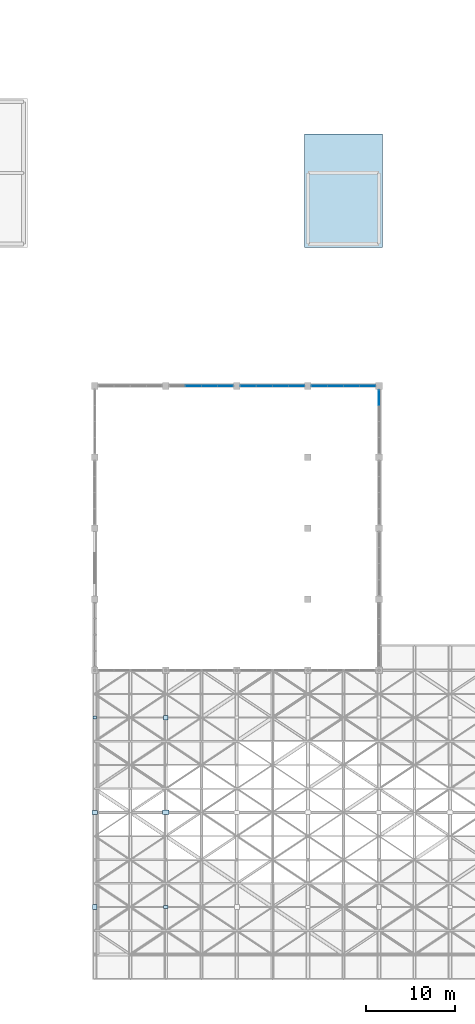
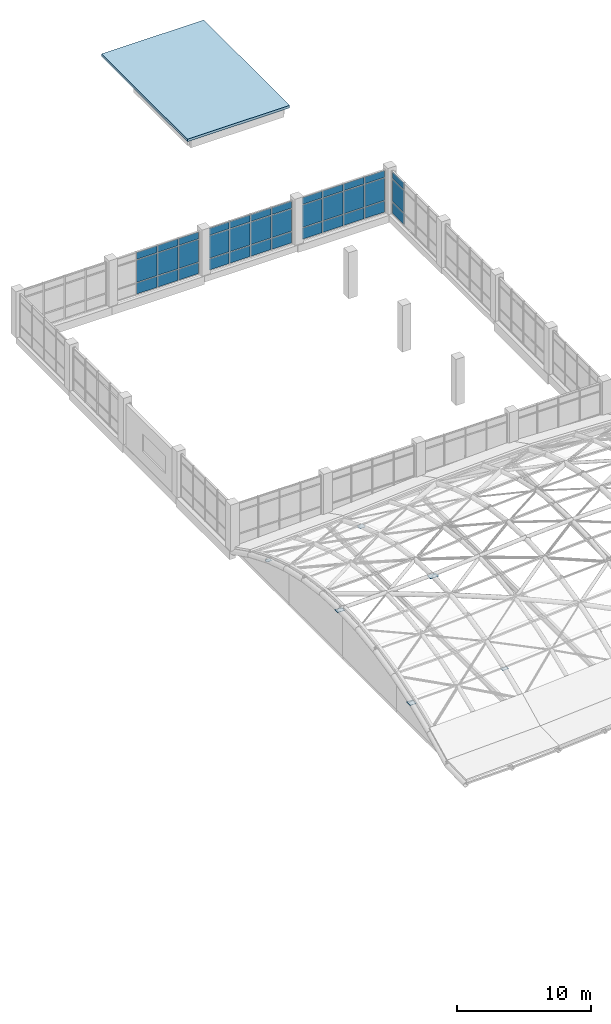
# One storey, part 60 of 72: 42 plates, 1 slab, 4 elements without a shape of their own.
"""IFC4 building model written with IfcOpenShell, lengths in metres."""

from ifc_helpers import new_model, si_unit, direction, frame, origin, origin_2d, place, context, subcontext, project, spatial, polyline, rectangle, outline, extrude, material, layer, layer_set, type_object, element, aggregate, save


model = new_model("IFC4")

# Units and contexts
model_context = context("Model", 3, precision=1e-05, world=origin(), true_north=direction((0.0, 1.0)))
body_context = subcontext(model_context, "Body", "Model", "MODEL_VIEW")
ifc_project = project(units=[si_unit("LENGTHUNIT", "METRE"), si_unit("AREAUNIT", "SQUARE_METRE"), si_unit("VOLUMEUNIT", "CUBIC_METRE"), si_unit("PLANEANGLEUNIT", "RADIAN"), si_unit("MASSUNIT", "GRAM", prefix="KILO")], contexts=[model_context])

# Site, building, storey
site_placement = place(None, origin())
site = spatial("IfcSite", under=ifc_project, at=site_placement, CompositionType="ELEMENT")
building_placement = place(site_placement, origin())
building = spatial("IfcBuilding", under=site, at=building_placement, Name="Tenunan Teduh Sports Hall", CompositionType="ELEMENT")
storey_placement = place(building_placement, frame((0.0, 0.0, 15.0)))
storey = spatial("IfcBuildingStorey", under=building, at=storey_placement, Name="L03", CompositionType="ELEMENT", Elevation=15.0)

# Curtain wall, plates
ifc_material_1 = material(Name="Anodised aluminium", Category="aluminium")
curtain_wall_type = type_object("IfcCurtainWallType", Name="CW-UNIT-2", PredefinedType="NOTDEFINED", material=ifc_material_1)
curtain_wall_1_placement = place(storey_placement, origin())
curtain_wall_1 = element("IfcCurtainWall", 1, at=curtain_wall_1_placement, inside=storey, type_object=curtain_wall_type, Name="CW-CWM-200-L03-140", PredefinedType="NOTDEFINED")
ifc_material_2 = material(Name="Low-E laminated double glazing", Category="glass")
ifc_layer_1 = layer(ifc_material_2, 0.028076171875)
ifc_layer_set_1 = layer_set([ifc_layer_1], Name="Low-E laminated double glazing")
plate_type_1 = type_object("IfcPlateType", Name="CWP-GLZ-28", PredefinedType="CURTAIN_PANEL", material=ifc_layer_set_1)
plate_1_placement = place(storey_placement, frame((133.09375, 78.0, 1.134765625), z_axis=(0.0, 0.0, 1.0), x_axis=(1.0, 0.0, 0.0)))
plate_1 = element("IfcPlate", 2, at=plate_1_placement, type_object=plate_type_1, Name="CW-02 panel 2.2", PredefinedType="CURTAIN_PANEL", context=body_context, shape_type="SweptSolid", body=[
    extrude(rectangle(XDim=1.742431640625, YDim=0.028076171875, at=origin_2d()), origin(), (0.0, 0.0, 1.0), 2.030029296875),
])
plate_2_placement = place(storey_placement, frame((133.09375, 78.0, 3.23486328125), z_axis=(0.0, 0.0, 1.0), x_axis=(1.0, 0.0, 0.0)))
plate_2 = element("IfcPlate", 3, at=plate_2_placement, type_object=plate_type_1, Name="CW-02 panel 2.3", PredefinedType="CURTAIN_PANEL", context=body_context, shape_type="SweptSolid", body=[
    extrude(rectangle(XDim=1.742431640625, YDim=0.028076171875, at=origin_2d()), origin(), (0.0, 0.0, 1.0), 0.614990234375),
])
plate_3_placement = place(storey_placement, frame((134.90625, 78.0, 1.134765625), z_axis=(0.0, 0.0, 1.0), x_axis=(1.0, 0.0, 0.0)))
plate_3 = element("IfcPlate", 4, at=plate_3_placement, type_object=plate_type_1, Name="CW-02 panel 3.2", PredefinedType="CURTAIN_PANEL", context=body_context, shape_type="SweptSolid", body=[
    extrude(rectangle(XDim=1.742431640625, YDim=0.028076171875, at=origin_2d()), origin(), (0.0, 0.0, 1.0), 2.030029296875),
])
plate_4_placement = place(storey_placement, frame((134.90625, 78.0, 3.23486328125), z_axis=(0.0, 0.0, 1.0), x_axis=(1.0, 0.0, 0.0)))
plate_4 = element("IfcPlate", 5, at=plate_4_placement, type_object=plate_type_1, Name="CW-02 panel 3.3", PredefinedType="CURTAIN_PANEL", context=body_context, shape_type="SweptSolid", body=[
    extrude(rectangle(XDim=1.742431640625, YDim=0.028076171875, at=origin_2d()), origin(), (0.0, 0.0, 1.0), 0.614990234375),
])
plate_5_placement = place(storey_placement, frame((136.701171875, 78.0, 1.134765625), z_axis=(0.0, 0.0, 1.0), x_axis=(1.0, 0.0, 0.0)))
plate_5 = element("IfcPlate", 6, at=plate_5_placement, type_object=plate_type_1, Name="CW-02 panel 4.2", PredefinedType="CURTAIN_PANEL", context=body_context, shape_type="SweptSolid", body=[
    extrude(rectangle(XDim=1.70751953125, YDim=0.028076171875, at=origin_2d()), origin(), (0.0, 0.0, 1.0), 2.030029296875),
])
plate_6_placement = place(storey_placement, frame((136.701171875, 78.0, 3.23486328125), z_axis=(0.0, 0.0, 1.0), x_axis=(1.0, 0.0, 0.0)))
plate_6 = element("IfcPlate", 7, at=plate_6_placement, type_object=plate_type_1, Name="CW-02 panel 4.3", PredefinedType="CURTAIN_PANEL", context=body_context, shape_type="SweptSolid", body=[
    extrude(rectangle(XDim=1.70751953125, YDim=0.028076171875, at=origin_2d()), origin(), (0.0, 0.0, 1.0), 0.614990234375),
])

curtain_wall_2_placement = place(storey_placement, origin())
curtain_wall_2 = element("IfcCurtainWall", 8, at=curtain_wall_2_placement, inside=storey, type_object=curtain_wall_type, Name="CW-CWM-175-L03-142", PredefinedType="NOTDEFINED")
plate_7_placement = place(storey_placement, frame((139.297607421875, 78.0, 1.13232421875), z_axis=(0.0, 0.0, 1.0), x_axis=(1.0, 0.0, 0.0)))
plate_7 = element("IfcPlate", 9, at=plate_7_placement, type_object=plate_type_1, Name="CW-02 panel 1.2", PredefinedType="CURTAIN_PANEL", context=body_context, shape_type="SweptSolid", body=[
    extrude(rectangle(XDim=1.715087890625, YDim=0.028076171875, at=origin_2d()), origin(), (0.0, 0.0, 1.0), 2.034912109375),
])
plate_8_placement = place(storey_placement, frame((139.297607421875, 78.0, 3.232421875), z_axis=(0.0, 0.0, 1.0), x_axis=(1.0, 0.0, 0.0)))
plate_8 = element("IfcPlate", 10, at=plate_8_placement, type_object=plate_type_1, Name="CW-02 panel 1.3", PredefinedType="CURTAIN_PANEL", context=body_context, shape_type="SweptSolid", body=[
    extrude(rectangle(XDim=1.715087890625, YDim=0.028076171875, at=origin_2d()), origin(), (0.0, 0.0, 1.0), 0.62255859375),
])
plate_9_placement = place(storey_placement, frame((141.09375, 78.0, 1.13232421875), z_axis=(0.0, 0.0, 1.0), x_axis=(1.0, 0.0, 0.0)))
plate_9 = element("IfcPlate", 11, at=plate_9_placement, type_object=plate_type_1, Name="CW-02 panel 2.2", PredefinedType="CURTAIN_PANEL", context=body_context, shape_type="SweptSolid", body=[
    extrude(rectangle(XDim=1.74755859375, YDim=0.028076171875, at=origin_2d()), origin(), (0.0, 0.0, 1.0), 2.034912109375),
])
plate_10_placement = place(storey_placement, frame((141.09375, 78.0, 3.232421875), z_axis=(0.0, 0.0, 1.0), x_axis=(1.0, 0.0, 0.0)))
plate_10 = element("IfcPlate", 12, at=plate_10_placement, type_object=plate_type_1, Name="CW-02 panel 2.3", PredefinedType="CURTAIN_PANEL", context=body_context, shape_type="SweptSolid", body=[
    extrude(rectangle(XDim=1.74755859375, YDim=0.028076171875, at=origin_2d()), origin(), (0.0, 0.0, 1.0), 0.62255859375),
])
plate_11_placement = place(storey_placement, frame((142.90625, 78.0, 1.13232421875), z_axis=(0.0, 0.0, 1.0), x_axis=(1.0, 0.0, 0.0)))
plate_11 = element("IfcPlate", 13, at=plate_11_placement, type_object=plate_type_1, Name="CW-02 panel 3.2", PredefinedType="CURTAIN_PANEL", context=body_context, shape_type="SweptSolid", body=[
    extrude(rectangle(XDim=1.74755859375, YDim=0.028076171875, at=origin_2d()), origin(), (0.0, 0.0, 1.0), 2.034912109375),
])
plate_12_placement = place(storey_placement, frame((142.90625, 78.0, 3.232421875), z_axis=(0.0, 0.0, 1.0), x_axis=(1.0, 0.0, 0.0)))
plate_12 = element("IfcPlate", 14, at=plate_12_placement, type_object=plate_type_1, Name="CW-02 panel 3.3", PredefinedType="CURTAIN_PANEL", context=body_context, shape_type="SweptSolid", body=[
    extrude(rectangle(XDim=1.74755859375, YDim=0.028076171875, at=origin_2d()), origin(), (0.0, 0.0, 1.0), 0.62255859375),
])
plate_13_placement = place(storey_placement, frame((144.702392578125, 78.0, 1.13232421875), z_axis=(0.0, 0.0, 1.0), x_axis=(1.0, 0.0, 0.0)))
plate_13 = element("IfcPlate", 15, at=plate_13_placement, type_object=plate_type_1, Name="CW-02 panel 4.2", PredefinedType="CURTAIN_PANEL", context=body_context, shape_type="SweptSolid", body=[
    extrude(rectangle(XDim=1.715087890625, YDim=0.028076171875, at=origin_2d()), origin(), (0.0, 0.0, 1.0), 2.034912109375),
])
plate_14_placement = place(storey_placement, frame((144.702392578125, 78.0, 3.232421875), z_axis=(0.0, 0.0, 1.0), x_axis=(1.0, 0.0, 0.0)))
plate_14 = element("IfcPlate", 16, at=plate_14_placement, type_object=plate_type_1, Name="CW-02 panel 4.3", PredefinedType="CURTAIN_PANEL", context=body_context, shape_type="SweptSolid", body=[
    extrude(rectangle(XDim=1.715087890625, YDim=0.028076171875, at=origin_2d()), origin(), (0.0, 0.0, 1.0), 0.62255859375),
])

curtain_wall_3_placement = place(storey_placement, origin())
curtain_wall_3 = element("IfcCurtainWall", 17, at=curtain_wall_3_placement, inside=storey, type_object=curtain_wall_type, Name="CW-CWM-200-L03-144", PredefinedType="NOTDEFINED")
plate_15_placement = place(storey_placement, frame((147.298828125, 78.0, 1.134765625), z_axis=(0.0, 0.0, 1.0), x_axis=(1.0, 0.0, 0.0)))
plate_15 = element("IfcPlate", 18, at=plate_15_placement, type_object=plate_type_1, Name="CW-02 panel 1.2", PredefinedType="CURTAIN_PANEL", context=body_context, shape_type="SweptSolid", body=[
    extrude(rectangle(XDim=1.70751953125, YDim=0.028076171875, at=origin_2d()), origin(), (0.0, 0.0, 1.0), 2.030029296875),
])
plate_16_placement = place(storey_placement, frame((147.298828125, 78.0, 3.23486328125), z_axis=(0.0, 0.0, 1.0), x_axis=(1.0, 0.0, 0.0)))
plate_16 = element("IfcPlate", 19, at=plate_16_placement, type_object=plate_type_1, Name="CW-02 panel 1.3", PredefinedType="CURTAIN_PANEL", context=body_context, shape_type="SweptSolid", body=[
    extrude(rectangle(XDim=1.70751953125, YDim=0.028076171875, at=origin_2d()), origin(), (0.0, 0.0, 1.0), 0.614990234375),
])
plate_17_placement = place(storey_placement, frame((149.09375, 78.0, 1.134765625), z_axis=(0.0, 0.0, 1.0), x_axis=(1.0, 0.0, 0.0)))
plate_17 = element("IfcPlate", 20, at=plate_17_placement, type_object=plate_type_1, Name="CW-02 panel 2.2", PredefinedType="CURTAIN_PANEL", context=body_context, shape_type="SweptSolid", body=[
    extrude(rectangle(XDim=1.742431640625, YDim=0.028076171875, at=origin_2d()), origin(), (0.0, 0.0, 1.0), 2.030029296875),
])
plate_18_placement = place(storey_placement, frame((149.09375, 78.0, 3.23486328125), z_axis=(0.0, 0.0, 1.0), x_axis=(1.0, 0.0, 0.0)))
plate_18 = element("IfcPlate", 21, at=plate_18_placement, type_object=plate_type_1, Name="CW-02 panel 2.3", PredefinedType="CURTAIN_PANEL", context=body_context, shape_type="SweptSolid", body=[
    extrude(rectangle(XDim=1.742431640625, YDim=0.028076171875, at=origin_2d()), origin(), (0.0, 0.0, 1.0), 0.614990234375),
])
plate_19_placement = place(storey_placement, frame((150.90625, 78.0, 1.134765625), z_axis=(0.0, 0.0, 1.0), x_axis=(1.0, 0.0, 0.0)))
plate_19 = element("IfcPlate", 22, at=plate_19_placement, type_object=plate_type_1, Name="CW-02 panel 3.2", PredefinedType="CURTAIN_PANEL", context=body_context, shape_type="SweptSolid", body=[
    extrude(rectangle(XDim=1.742431640625, YDim=0.028076171875, at=origin_2d()), origin(), (0.0, 0.0, 1.0), 2.030029296875),
])
plate_20_placement = place(storey_placement, frame((150.90625, 78.0, 3.23486328125), z_axis=(0.0, 0.0, 1.0), x_axis=(1.0, 0.0, 0.0)))
plate_20 = element("IfcPlate", 23, at=plate_20_placement, type_object=plate_type_1, Name="CW-02 panel 3.3", PredefinedType="CURTAIN_PANEL", context=body_context, shape_type="SweptSolid", body=[
    extrude(rectangle(XDim=1.742431640625, YDim=0.028076171875, at=origin_2d()), origin(), (0.0, 0.0, 1.0), 0.614990234375),
])
plate_21_placement = place(storey_placement, frame((152.701171875, 78.0, 1.134765625), z_axis=(0.0, 0.0, 1.0), x_axis=(1.0, 0.0, 0.0)))
plate_21 = element("IfcPlate", 24, at=plate_21_placement, type_object=plate_type_1, Name="CW-02 panel 4.2", PredefinedType="CURTAIN_PANEL", context=body_context, shape_type="SweptSolid", body=[
    extrude(rectangle(XDim=1.70751953125, YDim=0.028076171875, at=origin_2d()), origin(), (0.0, 0.0, 1.0), 2.030029296875),
])
plate_22_placement = place(storey_placement, frame((152.701171875, 78.0, 3.23486328125), z_axis=(0.0, 0.0, 1.0), x_axis=(1.0, 0.0, 0.0)))
plate_22 = element("IfcPlate", 25, at=plate_22_placement, type_object=plate_type_1, Name="CW-02 panel 4.3", PredefinedType="CURTAIN_PANEL", context=body_context, shape_type="SweptSolid", body=[
    extrude(rectangle(XDim=1.70751953125, YDim=0.028076171875, at=origin_2d()), origin(), (0.0, 0.0, 1.0), 0.614990234375),
])

curtain_wall_4_placement = place(storey_placement, origin())
curtain_wall_4 = element("IfcCurtainWall", 26, at=curtain_wall_4_placement, inside=storey, type_object=curtain_wall_type, Name="CW-CWM-200-L03-152", PredefinedType="NOTDEFINED")
plate_23_placement = place(storey_placement, frame((154.0, 76.701171875, 1.134765625), z_axis=(0.0, 0.0, 1.0), x_axis=(0.0, 1.0, 0.0)))
plate_23 = element("IfcPlate", 27, at=plate_23_placement, type_object=plate_type_1, Name="CW-02 panel 4.2", PredefinedType="CURTAIN_PANEL", context=body_context, shape_type="SweptSolid", body=[
    extrude(rectangle(XDim=1.70751953125, YDim=0.028076171875, at=origin_2d()), origin(), (0.0, 0.0, 1.0), 2.030029296875),
])
plate_24_placement = place(storey_placement, frame((154.0, 76.701171875, 3.23486328125), z_axis=(0.0, 0.0, 1.0), x_axis=(0.0, 1.0, 0.0)))
plate_24 = element("IfcPlate", 28, at=plate_24_placement, type_object=plate_type_1, Name="CW-02 panel 4.3", PredefinedType="CURTAIN_PANEL", context=body_context, shape_type="SweptSolid", body=[
    extrude(rectangle(XDim=1.70751953125, YDim=0.028076171875, at=origin_2d()), origin(), (0.0, 0.0, 1.0), 0.614990234375),
])

# Plate
ifc_material_3 = material(Name="Insulated aluminium spandrel panel", Category="aluminium")
ifc_layer_2 = layer(ifc_material_3, 0.044921875)
ifc_layer_set_2 = layer_set([ifc_layer_2], Name="Insulated aluminium spandrel panel")
plate_type_2 = type_object("IfcPlateType", Name="CWP-SPN-45", PredefinedType="CURTAIN_PANEL", material=ifc_layer_set_2)
plate_25_placement = place(storey_placement, frame((133.09375, 78.0, 0.06982421875), z_axis=(0.0, 0.0, 1.0), x_axis=(1.0, 0.0, 0.0)))
plate_25 = element("IfcPlate", 29, at=plate_25_placement, type_object=plate_type_2, Name="CW-02 panel 2.1", PredefinedType="CURTAIN_PANEL", context=body_context, shape_type="SweptSolid", body=[
    extrude(rectangle(XDim=1.742431640625, YDim=0.028076171875, at=origin_2d()), origin(), (0.0, 0.0, 1.0), 0.9951171875),
])

plate_26_placement = place(storey_placement, frame((134.90625, 78.0, 0.06982421875), z_axis=(0.0, 0.0, 1.0), x_axis=(1.0, 0.0, 0.0)))
plate_26 = element("IfcPlate", 30, at=plate_26_placement, type_object=plate_type_2, Name="CW-02 panel 3.1", PredefinedType="CURTAIN_PANEL", context=body_context, shape_type="SweptSolid", body=[
    extrude(rectangle(XDim=1.742431640625, YDim=0.028076171875, at=origin_2d()), origin(), (0.0, 0.0, 1.0), 0.9951171875),
])

plate_27_placement = place(storey_placement, frame((136.701171875, 78.0, 0.06982421875), z_axis=(0.0, 0.0, 1.0), x_axis=(1.0, 0.0, 0.0)))
plate_27 = element("IfcPlate", 31, at=plate_27_placement, type_object=plate_type_2, Name="CW-02 panel 4.1", PredefinedType="CURTAIN_PANEL", context=body_context, shape_type="SweptSolid", body=[
    extrude(rectangle(XDim=1.70751953125, YDim=0.028076171875, at=origin_2d()), origin(), (0.0, 0.0, 1.0), 0.9951171875),
])

aggregate(curtain_wall_1, [plate_25, plate_1, plate_2, plate_26, plate_3, plate_4, plate_27, plate_5, plate_6])

plate_28_placement = place(storey_placement, frame((139.297607421875, 78.0, 0.06494140625), z_axis=(0.0, 0.0, 1.0), x_axis=(1.0, 0.0, 0.0)))
plate_28 = element("IfcPlate", 32, at=plate_28_placement, type_object=plate_type_2, Name="CW-02 panel 1.1", PredefinedType="CURTAIN_PANEL", context=body_context, shape_type="SweptSolid", body=[
    extrude(rectangle(XDim=1.715087890625, YDim=0.028076171875, at=origin_2d()), origin(), (0.0, 0.0, 1.0), 1.00244140625),
])

plate_29_placement = place(storey_placement, frame((141.09375, 78.0, 0.06494140625), z_axis=(0.0, 0.0, 1.0), x_axis=(1.0, 0.0, 0.0)))
plate_29 = element("IfcPlate", 33, at=plate_29_placement, type_object=plate_type_2, Name="CW-02 panel 2.1", PredefinedType="CURTAIN_PANEL", context=body_context, shape_type="SweptSolid", body=[
    extrude(rectangle(XDim=1.74755859375, YDim=0.028076171875, at=origin_2d()), origin(), (0.0, 0.0, 1.0), 1.00244140625),
])

plate_30_placement = place(storey_placement, frame((142.90625, 78.0, 0.06494140625), z_axis=(0.0, 0.0, 1.0), x_axis=(1.0, 0.0, 0.0)))
plate_30 = element("IfcPlate", 34, at=plate_30_placement, type_object=plate_type_2, Name="CW-02 panel 3.1", PredefinedType="CURTAIN_PANEL", context=body_context, shape_type="SweptSolid", body=[
    extrude(rectangle(XDim=1.74755859375, YDim=0.028076171875, at=origin_2d()), origin(), (0.0, 0.0, 1.0), 1.00244140625),
])

plate_31_placement = place(storey_placement, frame((144.702392578125, 78.0, 0.06494140625), z_axis=(0.0, 0.0, 1.0), x_axis=(1.0, 0.0, 0.0)))
plate_31 = element("IfcPlate", 35, at=plate_31_placement, type_object=plate_type_2, Name="CW-02 panel 4.1", PredefinedType="CURTAIN_PANEL", context=body_context, shape_type="SweptSolid", body=[
    extrude(rectangle(XDim=1.715087890625, YDim=0.028076171875, at=origin_2d()), origin(), (0.0, 0.0, 1.0), 1.00244140625),
])

aggregate(curtain_wall_2, [plate_28, plate_7, plate_8, plate_29, plate_9, plate_10, plate_30, plate_11, plate_12, plate_31, plate_13, plate_14])

plate_32_placement = place(storey_placement, frame((147.298828125, 78.0, 0.06982421875), z_axis=(0.0, 0.0, 1.0), x_axis=(1.0, 0.0, 0.0)))
plate_32 = element("IfcPlate", 36, at=plate_32_placement, type_object=plate_type_2, Name="CW-02 panel 1.1", PredefinedType="CURTAIN_PANEL", context=body_context, shape_type="SweptSolid", body=[
    extrude(rectangle(XDim=1.70751953125, YDim=0.028076171875, at=origin_2d()), origin(), (0.0, 0.0, 1.0), 0.9951171875),
])

plate_33_placement = place(storey_placement, frame((149.09375, 78.0, 0.06982421875), z_axis=(0.0, 0.0, 1.0), x_axis=(1.0, 0.0, 0.0)))
plate_33 = element("IfcPlate", 37, at=plate_33_placement, type_object=plate_type_2, Name="CW-02 panel 2.1", PredefinedType="CURTAIN_PANEL", context=body_context, shape_type="SweptSolid", body=[
    extrude(rectangle(XDim=1.742431640625, YDim=0.028076171875, at=origin_2d()), origin(), (0.0, 0.0, 1.0), 0.9951171875),
])

plate_34_placement = place(storey_placement, frame((150.90625, 78.0, 0.06982421875), z_axis=(0.0, 0.0, 1.0), x_axis=(1.0, 0.0, 0.0)))
plate_34 = element("IfcPlate", 38, at=plate_34_placement, type_object=plate_type_2, Name="CW-02 panel 3.1", PredefinedType="CURTAIN_PANEL", context=body_context, shape_type="SweptSolid", body=[
    extrude(rectangle(XDim=1.742431640625, YDim=0.028076171875, at=origin_2d()), origin(), (0.0, 0.0, 1.0), 0.9951171875),
])

plate_35_placement = place(storey_placement, frame((152.701171875, 78.0, 0.06982421875), z_axis=(0.0, 0.0, 1.0), x_axis=(1.0, 0.0, 0.0)))
plate_35 = element("IfcPlate", 39, at=plate_35_placement, type_object=plate_type_2, Name="CW-02 panel 4.1", PredefinedType="CURTAIN_PANEL", context=body_context, shape_type="SweptSolid", body=[
    extrude(rectangle(XDim=1.70751953125, YDim=0.028076171875, at=origin_2d()), origin(), (0.0, 0.0, 1.0), 0.9951171875),
])

aggregate(curtain_wall_3, [plate_32, plate_15, plate_16, plate_33, plate_17, plate_18, plate_34, plate_19, plate_20, plate_35, plate_21, plate_22])

plate_36_placement = place(storey_placement, frame((154.0, 76.701171875, 0.06982421875), z_axis=(0.0, 0.0, 1.0), x_axis=(0.0, 1.0, 0.0)))
plate_36 = element("IfcPlate", 40, at=plate_36_placement, type_object=plate_type_2, Name="CW-02 panel 4.1", PredefinedType="CURTAIN_PANEL", context=body_context, shape_type="SweptSolid", body=[
    extrude(rectangle(XDim=1.70751953125, YDim=0.028076171875, at=origin_2d()), origin(), (0.0, 0.0, 1.0), 0.9951171875),
])

aggregate(curtain_wall_4, [plate_36, plate_23, plate_24])

# Plates
ifc_material_4 = material(Name="Steel S355", Category="steel")
ifc_layer_3 = layer(ifc_material_4, 0.02001953125)
ifc_layer_set_3 = layer_set([ifc_layer_3], Name="Steel S355")
plate_type_3 = type_object("IfcPlateType", Name="PLT-GUS-1", PredefinedType="SHEET", material=ifc_layer_set_3)
plate_37_placement = place(storey_placement, frame((130.0, 40.666748046875, 2.356201171875), z_axis=(0.0, 0.0, 1.0), x_axis=(1.0, 0.0, 0.0)))
element("IfcPlate", 41, at=plate_37_placement, inside=storey, type_object=plate_type_3, Name="PLT-L03-006", PredefinedType="SHEET", context=body_context, shape_type="SweptSolid", body=[
    extrude(rectangle(XDim=0.47998046875, YDim=0.47998046875, at=origin_2d()), origin(), (0.0, 0.0, 1.0), 0.02001953125),
])
ifc_material_5 = material(Name="Steel S355", Category="steel")
ifc_layer_4 = layer(ifc_material_5, 0.02392578125)
ifc_layer_set_4 = layer_set([ifc_layer_4], Name="Steel S355")
plate_type_4 = type_object("IfcPlateType", Name="PLT-GUS-2", PredefinedType="SHEET", material=ifc_layer_set_4)
plate_38_placement = place(storey_placement, frame((122.0, 19.333251953125, 2.053466796875), z_axis=(0.0, 0.0, 1.0), x_axis=(1.0, 0.0, 0.0)))
element("IfcPlate", 42, at=plate_38_placement, inside=storey, type_object=plate_type_4, Name="PLT-L03-001", PredefinedType="SHEET", context=body_context, shape_type="SweptSolid", body=[
    extrude(rectangle(XDim=0.56005859375, YDim=0.56005859375, at=origin_2d()), origin(), (0.0, 0.0, 1.0), 0.02392578125),
])
ifc_material_6 = material(Name="Steel S355", Category="steel")
ifc_layer_5 = layer(ifc_material_6, 0.02197265625)
ifc_layer_set_5 = layer_set([ifc_layer_5], Name="Steel S355")
plate_type_5 = type_object("IfcPlateType", Name="PLT-GUS-3", PredefinedType="SHEET", material=ifc_layer_set_5)
plate_39_placement = place(storey_placement, frame((122.0, 30.0, 4.007568359375), z_axis=(0.0, 0.0, 1.0), x_axis=(1.0, 0.0, 0.0)))
element("IfcPlate", 43, at=plate_39_placement, inside=storey, type_object=plate_type_5, Name="PLT-L03-002", PredefinedType="SHEET", context=body_context, shape_type="SweptSolid", body=[
    extrude(rectangle(XDim=0.639892578125, YDim=0.43994140625, at=origin_2d()), origin(), (0.0, 0.0, 1.0), 0.02197265625),
])
ifc_material_7 = material(Name="Steel S355", Category="steel")
ifc_layer_6 = layer(ifc_material_7, 0.01611328125)
ifc_layer_set_6 = layer_set([ifc_layer_6], Name="Steel S355")
plate_type_6 = type_object("IfcPlateType", Name="PLT-GUS-4", PredefinedType="SHEET", material=ifc_layer_set_6)
plate_40_placement = place(storey_placement, frame((122.0, 40.666748046875, 2.057373046875), z_axis=(0.0, 0.0, 1.0), x_axis=(1.0, 0.0, 0.0)))
element("IfcPlate", 44, at=plate_40_placement, inside=storey, type_object=plate_type_6, Name="PLT-L03-003", PredefinedType="SHEET", context=body_context, shape_type="SweptSolid", body=[
    extrude(rectangle(XDim=0.39990234375, YDim=0.320068359375, at=origin_2d()), origin(), (0.0, 0.0, 1.0), 0.01611328125),
])
ifc_material_8 = material(Name="Steel S355", Category="steel")
ifc_layer_7 = layer(ifc_material_8, 0.01806640625)
ifc_layer_set_7 = layer_set([ifc_layer_7], Name="Steel S355")
plate_type_7 = type_object("IfcPlateType", Name="PLT-GUS-5", PredefinedType="SHEET", material=ifc_layer_set_7)
plate_41_placement = place(storey_placement, frame((130.0, 19.333251953125, 2.357177734375), z_axis=(0.0, 0.0, 1.0), x_axis=(1.0, 0.0, 0.0)))
element("IfcPlate", 45, at=plate_41_placement, inside=storey, type_object=plate_type_7, Name="PLT-L03-004", PredefinedType="SHEET", context=body_context, shape_type="SweptSolid", body=[
    extrude(rectangle(XDim=0.52001953125, YDim=0.360107421875, at=origin_2d()), origin(), (0.0, 0.0, 1.0), 0.01806640625),
])
ifc_material_9 = material(Name="Steel S355", Category="steel")
ifc_layer_8 = layer(ifc_material_9, 0.028076171875)
ifc_layer_set_8 = layer_set([ifc_layer_8], Name="Steel S355")
plate_type_8 = type_object("IfcPlateType", Name="PLT-GUS-6", PredefinedType="SHEET", material=ifc_layer_set_8)
plate_42_placement = place(storey_placement, frame((130.0, 30.0, 4.30517578125), z_axis=(0.0, 0.0, 1.0), x_axis=(1.0, 0.0, 0.0)))
element("IfcPlate", 46, at=plate_42_placement, inside=storey, type_object=plate_type_8, Name="PLT-L03-005", PredefinedType="SHEET", context=body_context, shape_type="SweptSolid", body=[
    extrude(rectangle(XDim=0.699951171875, YDim=0.5, at=origin_2d()), origin(), (0.0, 0.0, 1.0), 0.028076171875),
])

# Slab
ifc_material_10 = material(Name="Concrete C40/50", Category="concrete")
ifc_layer_9 = layer(ifc_material_10, 0.22998046875)
ifc_layer_set_9 = layer_set([ifc_layer_9], Name="Concrete C40/50")
slab_type = type_object("IfcSlabType", Name="SLB-ROOF-230", PredefinedType="ROOF", material=ifc_layer_set_9)
slab_placement = place(storey_placement, frame((0.0, 0.0, -0.22998046875)))
element("IfcSlab", 47, at=slab_placement, inside=storey, type_object=slab_type, Name="SL-L03-OVR-E2", PredefinedType="ROOF", context=body_context, shape_type="SweptSolid", body=[
    extrude(outline(polyline([(145.60009765625, 93.60009765625), (154.39990234375, 93.60009765625), (154.39990234375, 106.39990234375), (145.60009765625, 106.39990234375), (145.60009765625, 93.60009765625)])), origin(), (0.0, 0.0, 1.0), 0.22998046875),
])

save(model, "model.ifc")
